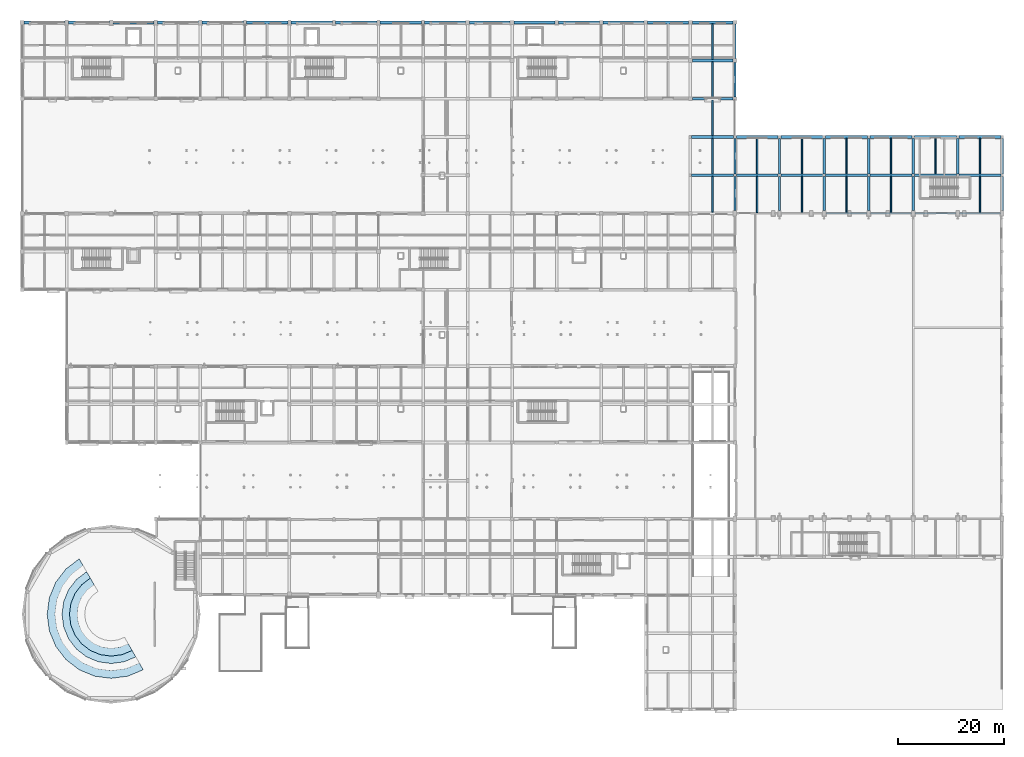
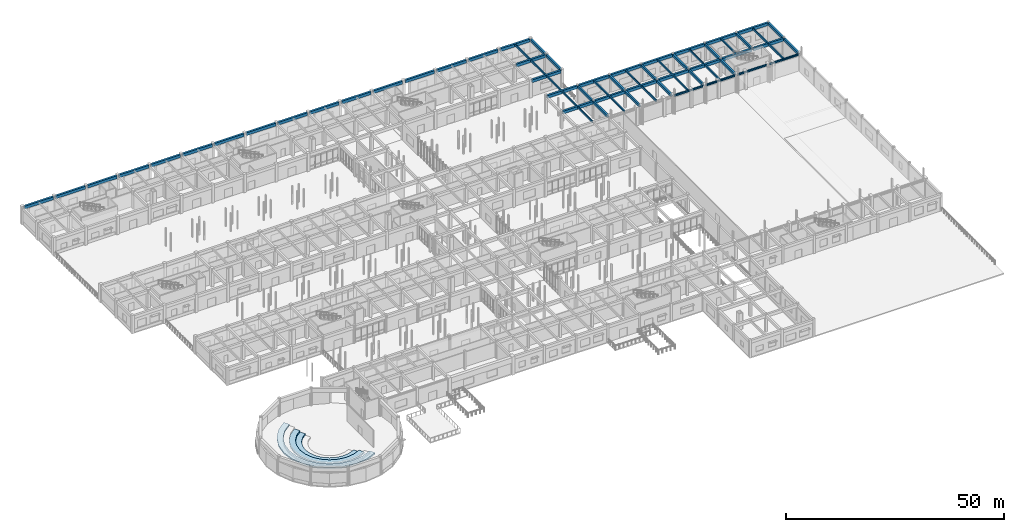
# One storey, part 63 of 121: 67 beams, 3 slabs.
"""IFC4 building model written with IfcOpenShell, lengths in metres."""

from ifc_helpers import new_model, si_unit, direction, frame, origin, origin_2d, place, context, subcontext, project, spatial, polyline, rectangle, i_section, outline, extrude, material, layer, layer_set, material_profile, profile_set, type_object, element, save


model = new_model("IFC4")

# Units and contexts
model_context = context("Model", 3, precision=1e-05, world=origin(), true_north=direction((0.0, 1.0)))
body_context = subcontext(model_context, "Body", "Model", "MODEL_VIEW")
ifc_project = project(units=[si_unit("LENGTHUNIT", "METRE"), si_unit("AREAUNIT", "SQUARE_METRE"), si_unit("VOLUMEUNIT", "CUBIC_METRE"), si_unit("PLANEANGLEUNIT", "RADIAN"), si_unit("MASSUNIT", "GRAM", prefix="KILO")], contexts=[model_context])

# Site, building, storey
site_placement = place(None, origin())
site = spatial("IfcSite", under=ifc_project, at=site_placement, CompositionType="ELEMENT")
building_placement = place(site_placement, origin())
building = spatial("IfcBuilding", under=site, at=building_placement, Name="Malvenik Polytechnic", CompositionType="ELEMENT")
storey_placement = place(building_placement, origin())
storey = spatial("IfcBuildingStorey", under=building, at=storey_placement, Name="L00", CompositionType="ELEMENT", Elevation=0.0)

# Beams
ifc_material_1 = material(Name="Concrete C35/45", Category="concrete")
ifc_material_profile_1 = material_profile(ifc_material_1, rectangle(XDim=0.5, YDim=0.800048828125, at=origin_2d()), Name="RC BM 500x800")
ifc_profile_set_1 = profile_set([ifc_material_profile_1], Name="Concrete C35/45")
beam_type_1 = type_object("IfcBeamType", Name="STR-BM-B-02", PredefinedType="BEAM", material=ifc_profile_set_1)
for number, where, z_axis, x_axis, name in (
    (1, (126.248046875, 100.800048828125, 4.419921875), (1.0, 0.0, 0.0), (0.0, 1.0, 0.0), "Primary Beam B-02 L00 #657"),
    (2, (134.64794921875, 100.800048828125, 4.419921875), (1.0, 0.0, 0.0), (0.0, 1.0, 0.0), "Primary Beam B-02 L00 #658"),
):
    element("IfcBeam", number, at=place(storey_placement, frame(where, z_axis=z_axis, x_axis=x_axis)), inside=storey, type_object=beam_type_1, Name=name, PredefinedType="BEAM", context=body_context, shape_type="SweptSolid", body=[
        extrude(rectangle(XDim=0.5, YDim=0.800048828125, at=origin_2d()), origin(), (0.0, 0.0, 1.0), 7.904052734375),
    ])
beam_1_placement = place(storey_placement, frame((143.048095703125, 100.800048828125, 4.419921875), z_axis=(1.0, 0.0, 0.0), x_axis=(0.0, 1.0, 0.0)))
element("IfcBeam", 3, at=beam_1_placement, inside=storey, type_object=beam_type_1, Name="Primary Beam B-02 L00 #659", PredefinedType="BEAM", context=body_context, shape_type="SweptSolid", body=[
    extrude(rectangle(XDim=0.5, YDim=0.800048828125, at=origin_2d()), origin(), (0.0, 0.0, 1.0), 7.90380859375),
])
for number, where, z_axis, x_axis, name in (
    (4, (151.447998046875, 100.800048828125, 4.419921875), (1.0, 0.0, 0.0), (0.0, 1.0, 0.0), "Primary Beam B-02 L00 #660"),
    (5, (159.847900390625, 100.800048828125, 4.419921875), (1.0, 0.0, 0.0), (0.0, 1.0, 0.0), "Primary Beam B-02 L00 #661"),
    (6, (168.248046875, 100.800048828125, 4.419921875), (1.0, 0.0, 0.0), (0.0, 1.0, 0.0), "Primary Beam B-02 L00 #662"),
    (7, (176.64794921875, 100.800048828125, 4.419921875), (1.0, 0.0, 0.0), (0.0, 1.0, 0.0), "Primary Beam B-02 L00 #663"),
):
    element("IfcBeam", number, at=place(storey_placement, frame(where, z_axis=z_axis, x_axis=x_axis)), inside=storey, type_object=beam_type_1, Name=name, PredefinedType="BEAM", context=body_context, shape_type="SweptSolid", body=[
        extrude(rectangle(XDim=0.5, YDim=0.800048828125, at=origin_2d()), origin(), (0.0, 0.0, 1.0), 7.904052734375),
    ])
beam_2_placement = place(storey_placement, frame((126.347900390625, 122.39990234375, 4.419921875), z_axis=(1.0, 0.0, 0.0), x_axis=(0.0, 1.0, 0.0)))
element("IfcBeam", 8, at=beam_2_placement, inside=storey, type_object=beam_type_1, Name="Primary Beam B-02 L00 #697", PredefinedType="BEAM", context=body_context, shape_type="SweptSolid", body=[
    extrude(rectangle(XDim=0.5, YDim=0.800048828125, at=origin_2d()), origin(), (0.0, 0.0, 1.0), 7.7041015625),
])
ifc_material_profile_2 = material_profile(ifc_material_1, rectangle(XDim=0.449951171875, YDim=0.699951171875, at=origin_2d()), Name="RC BM 450x700")
ifc_profile_set_2 = profile_set([ifc_material_profile_2], Name="Concrete C35/45")
beam_type_2 = type_object("IfcBeamType", Name="STR-BM-B-04", PredefinedType="BEAM", material=ifc_profile_set_2)
beam_3_placement = place(storey_placement, frame((134.39990234375, 94.14794921875, 4.469970703125), z_axis=(0.0, 1.0, 0.0), x_axis=(-1.0, 0.0, 0.0)))
element("IfcBeam", 9, at=beam_3_placement, inside=storey, type_object=beam_type_2, Name="Transverse Beam B-04 L00 #845", PredefinedType="BEAM", context=body_context, shape_type="SweptSolid", body=[
    extrude(rectangle(XDim=0.449951171875, YDim=0.699951171875, at=origin_2d()), origin(), (0.0, 0.0, 1.0), 6.404052734375),
])
beam_4_placement = place(storey_placement, frame((134.39990234375, 101.048095703125, 4.469970703125), z_axis=(0.0, 1.0, 0.0), x_axis=(-1.0, 0.0, 0.0)))
element("IfcBeam", 10, at=beam_4_placement, inside=storey, type_object=beam_type_2, Name="Transverse Beam B-04 L00 #846", PredefinedType="BEAM", context=body_context, shape_type="SweptSolid", body=[
    extrude(rectangle(XDim=0.449951171875, YDim=0.699951171875, at=origin_2d()), origin(), (0.0, 0.0, 1.0), 6.703857421875),
])
for number, where, z_axis, x_axis, name in (
    (11, (134.39990234375, 115.548095703125, 4.469970703125), (0.0, 1.0, 0.0), (-1.0, 0.0, 0.0), "Transverse Beam B-04 L00 #847"),
    (12, (134.39990234375, 122.748046875, 4.469970703125), (0.0, 1.0, 0.0), (-1.0, 0.0, 0.0), "Transverse Beam B-04 L00 #848"),
):
    element("IfcBeam", number, at=place(storey_placement, frame(where, z_axis=z_axis, x_axis=x_axis)), inside=storey, type_object=beam_type_2, Name=name, PredefinedType="BEAM", context=body_context, shape_type="SweptSolid", body=[
        extrude(rectangle(XDim=0.449951171875, YDim=0.699951171875, at=origin_2d()), origin(), (0.0, 0.0, 1.0), 6.50390625),
    ])
beam_5_placement = place(storey_placement, frame((142.800048828125, 94.14794921875, 4.469970703125), z_axis=(0.0, 1.0, 0.0), x_axis=(-1.0, 0.0, 0.0)))
element("IfcBeam", 13, at=beam_5_placement, inside=storey, type_object=beam_type_2, Name="Transverse Beam B-04 L00 #850", PredefinedType="BEAM", context=body_context, shape_type="SweptSolid", body=[
    extrude(rectangle(XDim=0.449951171875, YDim=0.699951171875, at=origin_2d()), origin(), (0.0, 0.0, 1.0), 6.404052734375),
])
beam_6_placement = place(storey_placement, frame((142.800048828125, 101.048095703125, 4.469970703125), z_axis=(0.0, 1.0, 0.0), x_axis=(-1.0, 0.0, 0.0)))
element("IfcBeam", 14, at=beam_6_placement, inside=storey, type_object=beam_type_2, Name="Transverse Beam B-04 L00 #851", PredefinedType="BEAM", context=body_context, shape_type="SweptSolid", body=[
    extrude(rectangle(XDim=0.449951171875, YDim=0.699951171875, at=origin_2d()), origin(), (0.0, 0.0, 1.0), 6.703857421875),
])
beam_7_placement = place(storey_placement, frame((151.199951171875, 94.14794921875, 4.469970703125), z_axis=(0.0, 1.0, 0.0), x_axis=(-1.0, 0.0, 0.0)))
element("IfcBeam", 15, at=beam_7_placement, inside=storey, type_object=beam_type_2, Name="Transverse Beam B-04 L00 #853", PredefinedType="BEAM", context=body_context, shape_type="SweptSolid", body=[
    extrude(rectangle(XDim=0.449951171875, YDim=0.699951171875, at=origin_2d()), origin(), (0.0, 0.0, 1.0), 6.404052734375),
])
beam_8_placement = place(storey_placement, frame((151.199951171875, 101.048095703125, 4.469970703125), z_axis=(0.0, 1.0, 0.0), x_axis=(-1.0, 0.0, 0.0)))
element("IfcBeam", 16, at=beam_8_placement, inside=storey, type_object=beam_type_2, Name="Transverse Beam B-04 L00 #854", PredefinedType="BEAM", context=body_context, shape_type="SweptSolid", body=[
    extrude(rectangle(XDim=0.449951171875, YDim=0.699951171875, at=origin_2d()), origin(), (0.0, 0.0, 1.0), 6.703857421875),
])
beam_9_placement = place(storey_placement, frame((159.60009765625, 94.14794921875, 4.469970703125), z_axis=(0.0, 1.0, 0.0), x_axis=(-1.0, 0.0, 0.0)))
element("IfcBeam", 17, at=beam_9_placement, inside=storey, type_object=beam_type_2, Name="Transverse Beam B-04 L00 #855", PredefinedType="BEAM", context=body_context, shape_type="SweptSolid", body=[
    extrude(rectangle(XDim=0.449951171875, YDim=0.699951171875, at=origin_2d()), origin(), (0.0, 0.0, 1.0), 6.404052734375),
])
beam_10_placement = place(storey_placement, frame((159.60009765625, 101.048095703125, 4.469970703125), z_axis=(0.0, 1.0, 0.0), x_axis=(-1.0, 0.0, 0.0)))
element("IfcBeam", 18, at=beam_10_placement, inside=storey, type_object=beam_type_2, Name="Transverse Beam B-04 L00 #856", PredefinedType="BEAM", context=body_context, shape_type="SweptSolid", body=[
    extrude(rectangle(XDim=0.449951171875, YDim=0.699951171875, at=origin_2d()), origin(), (0.0, 0.0, 1.0), 6.703857421875),
])
beam_11_placement = place(storey_placement, frame((168.0, 94.14794921875, 4.469970703125), z_axis=(0.0, 1.0, 0.0), x_axis=(-1.0, 0.0, 0.0)))
element("IfcBeam", 19, at=beam_11_placement, inside=storey, type_object=beam_type_2, Name="Transverse Beam B-04 L00 #858", PredefinedType="BEAM", context=body_context, shape_type="SweptSolid", body=[
    extrude(rectangle(XDim=0.449951171875, YDim=0.699951171875, at=origin_2d()), origin(), (0.0, 0.0, 1.0), 6.404052734375),
])
for number, where, z_axis, x_axis, name in (
    (20, (168.0, 101.048095703125, 4.469970703125), (0.0, 1.0, 0.0), (-1.0, 0.0, 0.0), "Transverse Beam B-04 L00 #859"),
    (21, (176.39990234375, 101.048095703125, 4.469970703125), (0.0, 1.0, 0.0), (-1.0, 0.0, 0.0), "Transverse Beam B-04 L00 #861"),
):
    element("IfcBeam", number, at=place(storey_placement, frame(where, z_axis=z_axis, x_axis=x_axis)), inside=storey, type_object=beam_type_2, Name=name, PredefinedType="BEAM", context=body_context, shape_type="SweptSolid", body=[
        extrude(rectangle(XDim=0.449951171875, YDim=0.699951171875, at=origin_2d()), origin(), (0.0, 0.0, 1.0), 6.703857421875),
    ])
beam_12_placement = place(storey_placement, frame((184.800048828125, 94.14794921875, 4.469970703125), z_axis=(0.0, 1.0, 0.0), x_axis=(-1.0, 0.0, 0.0)))
element("IfcBeam", 22, at=beam_12_placement, inside=storey, type_object=beam_type_2, Name="Transverse Beam B-04 L00 #863", PredefinedType="BEAM", context=body_context, shape_type="SweptSolid", body=[
    extrude(rectangle(XDim=0.449951171875, YDim=0.699951171875, at=origin_2d()), origin(), (0.0, 0.0, 1.0), 6.404052734375),
])
beam_13_placement = place(storey_placement, frame((184.800048828125, 101.048095703125, 4.469970703125), z_axis=(0.0, 1.0, 0.0), x_axis=(-1.0, 0.0, 0.0)))
element("IfcBeam", 23, at=beam_13_placement, inside=storey, type_object=beam_type_2, Name="Transverse Beam B-04 L00 #864", PredefinedType="BEAM", context=body_context, shape_type="SweptSolid", body=[
    extrude(rectangle(XDim=0.449951171875, YDim=0.699951171875, at=origin_2d()), origin(), (0.0, 0.0, 1.0), 6.703857421875),
])
ifc_material_2 = material(Name="Concrete C30/37", Category="concrete")
ifc_material_profile_3 = material_profile(ifc_material_2, rectangle(XDim=0.280029296875, YDim=0.47998046875, at=origin_2d()), Name="RC JST 280x480")
ifc_profile_set_3 = profile_set([ifc_material_profile_3], Name="Concrete C30/37")
beam_type_3 = type_object("IfcBeamType", Name="STR-BM-J-01", PredefinedType="JOIST", material=ifc_profile_set_3)
beam_14_placement = place(storey_placement, frame((130.199951171875, 93.847900390625, 4.580078125), z_axis=(0.0, 1.0, 0.0), x_axis=(-1.0, 0.0, 0.0)))
element("IfcBeam", 24, at=beam_14_placement, inside=storey, type_object=beam_type_3, Name="Secondary Rib Joist J-01 L00 #942", PredefinedType="JOIST", context=body_context, shape_type="SweptSolid", body=[
    extrude(rectangle(XDim=0.280029296875, YDim=0.47998046875, at=origin_2d()), origin(), (0.0, 0.0, 1.0), 6.7041015625),
])
beam_15_placement = place(storey_placement, frame((130.199951171875, 101.048095703125, 4.580078125), z_axis=(0.0, 1.0, 0.0), x_axis=(-1.0, 0.0, 0.0)))
element("IfcBeam", 25, at=beam_15_placement, inside=storey, type_object=beam_type_3, Name="Secondary Rib Joist J-01 L00 #943", PredefinedType="JOIST", context=body_context, shape_type="SweptSolid", body=[
    extrude(rectangle(XDim=0.280029296875, YDim=0.47998046875, at=origin_2d()), origin(), (0.0, 0.0, 1.0), 6.69384765625),
])
beam_16_placement = place(storey_placement, frame((130.199951171875, 108.258056640625, 4.580078125), z_axis=(0.0, 1.0, 0.0), x_axis=(-1.0, 0.0, 0.0)))
element("IfcBeam", 26, at=beam_16_placement, inside=storey, type_object=beam_type_3, Name="Secondary Rib Joist J-01 L00 #944", PredefinedType="JOIST", context=body_context, shape_type="SweptSolid", body=[
    extrude(rectangle(XDim=0.280029296875, YDim=0.47998046875, at=origin_2d()), origin(), (0.0, 0.0, 1.0), 6.683837890625),
])
for number, where, z_axis, x_axis, name in (
    (27, (130.199951171875, 115.4580078125, 4.580078125), (0.0, 1.0, 0.0), (-1.0, 0.0, 0.0), "Secondary Rib Joist J-01 L00 #945"),
    (28, (130.199951171875, 122.64794921875, 4.580078125), (0.0, 1.0, 0.0), (-1.0, 0.0, 0.0), "Secondary Rib Joist J-01 L00 #946"),
):
    element("IfcBeam", number, at=place(storey_placement, frame(where, z_axis=z_axis, x_axis=x_axis)), inside=storey, type_object=beam_type_3, Name=name, PredefinedType="JOIST", context=body_context, shape_type="SweptSolid", body=[
        extrude(rectangle(XDim=0.280029296875, YDim=0.47998046875, at=origin_2d()), origin(), (0.0, 0.0, 1.0), 6.694091796875),
    ])
beam_17_placement = place(storey_placement, frame((138.60009765625, 93.748046875, 4.580078125), z_axis=(0.0, 1.0, 0.0), x_axis=(-1.0, 0.0, 0.0)))
element("IfcBeam", 29, at=beam_17_placement, inside=storey, type_object=beam_type_3, Name="Secondary Rib Joist J-01 L00 #948", PredefinedType="JOIST", context=body_context, shape_type="SweptSolid", body=[
    extrude(rectangle(XDim=0.280029296875, YDim=0.47998046875, at=origin_2d()), origin(), (0.0, 0.0, 1.0), 6.803955078125),
])
beam_18_placement = place(storey_placement, frame((138.60009765625, 101.048095703125, 4.580078125), z_axis=(0.0, 1.0, 0.0), x_axis=(-1.0, 0.0, 0.0)))
element("IfcBeam", 30, at=beam_18_placement, inside=storey, type_object=beam_type_3, Name="Secondary Rib Joist J-01 L00 #949", PredefinedType="JOIST", context=body_context, shape_type="SweptSolid", body=[
    extrude(rectangle(XDim=0.280029296875, YDim=0.47998046875, at=origin_2d()), origin(), (0.0, 0.0, 1.0), 6.69384765625),
])
beam_19_placement = place(storey_placement, frame((147.0, 93.748046875, 4.580078125), z_axis=(0.0, 1.0, 0.0), x_axis=(-1.0, 0.0, 0.0)))
element("IfcBeam", 31, at=beam_19_placement, inside=storey, type_object=beam_type_3, Name="Secondary Rib Joist J-01 L00 #951", PredefinedType="JOIST", context=body_context, shape_type="SweptSolid", body=[
    extrude(rectangle(XDim=0.280029296875, YDim=0.47998046875, at=origin_2d()), origin(), (0.0, 0.0, 1.0), 6.803955078125),
])
beam_20_placement = place(storey_placement, frame((147.0, 101.048095703125, 4.580078125), z_axis=(0.0, 1.0, 0.0), x_axis=(-1.0, 0.0, 0.0)))
element("IfcBeam", 32, at=beam_20_placement, inside=storey, type_object=beam_type_3, Name="Secondary Rib Joist J-01 L00 #952", PredefinedType="JOIST", context=body_context, shape_type="SweptSolid", body=[
    extrude(rectangle(XDim=0.280029296875, YDim=0.47998046875, at=origin_2d()), origin(), (0.0, 0.0, 1.0), 6.69384765625),
])
beam_21_placement = place(storey_placement, frame((155.39990234375, 93.748046875, 4.580078125), z_axis=(0.0, 1.0, 0.0), x_axis=(-1.0, 0.0, 0.0)))
element("IfcBeam", 33, at=beam_21_placement, inside=storey, type_object=beam_type_3, Name="Secondary Rib Joist J-01 L00 #953", PredefinedType="JOIST", context=body_context, shape_type="SweptSolid", body=[
    extrude(rectangle(XDim=0.280029296875, YDim=0.47998046875, at=origin_2d()), origin(), (0.0, 0.0, 1.0), 6.803955078125),
])
beam_22_placement = place(storey_placement, frame((155.39990234375, 101.048095703125, 4.580078125), z_axis=(0.0, 1.0, 0.0), x_axis=(-1.0, 0.0, 0.0)))
element("IfcBeam", 34, at=beam_22_placement, inside=storey, type_object=beam_type_3, Name="Secondary Rib Joist J-01 L00 #954", PredefinedType="JOIST", context=body_context, shape_type="SweptSolid", body=[
    extrude(rectangle(XDim=0.280029296875, YDim=0.47998046875, at=origin_2d()), origin(), (0.0, 0.0, 1.0), 6.69384765625),
])
beam_23_placement = place(storey_placement, frame((163.800048828125, 93.748046875, 4.580078125), z_axis=(0.0, 1.0, 0.0), x_axis=(-1.0, 0.0, 0.0)))
element("IfcBeam", 35, at=beam_23_placement, inside=storey, type_object=beam_type_3, Name="Secondary Rib Joist J-01 L00 #956", PredefinedType="JOIST", context=body_context, shape_type="SweptSolid", body=[
    extrude(rectangle(XDim=0.280029296875, YDim=0.47998046875, at=origin_2d()), origin(), (0.0, 0.0, 1.0), 6.803955078125),
])
for number, where, z_axis, x_axis, name in (
    (36, (163.800048828125, 101.048095703125, 4.580078125), (0.0, 1.0, 0.0), (-1.0, 0.0, 0.0), "Secondary Rib Joist J-01 L00 #957"),
    (37, (172.199951171875, 101.048095703125, 4.580078125), (0.0, 1.0, 0.0), (-1.0, 0.0, 0.0), "Secondary Rib Joist J-01 L00 #959"),
):
    element("IfcBeam", number, at=place(storey_placement, frame(where, z_axis=z_axis, x_axis=x_axis)), inside=storey, type_object=beam_type_3, Name=name, PredefinedType="JOIST", context=body_context, shape_type="SweptSolid", body=[
        extrude(rectangle(XDim=0.280029296875, YDim=0.47998046875, at=origin_2d()), origin(), (0.0, 0.0, 1.0), 6.69384765625),
    ])
beam_24_placement = place(storey_placement, frame((180.60009765625, 93.748046875, 4.580078125), z_axis=(0.0, 1.0, 0.0), x_axis=(-1.0, 0.0, 0.0)))
element("IfcBeam", 38, at=beam_24_placement, inside=storey, type_object=beam_type_3, Name="Secondary Rib Joist J-01 L00 #961", PredefinedType="JOIST", context=body_context, shape_type="SweptSolid", body=[
    extrude(rectangle(XDim=0.280029296875, YDim=0.47998046875, at=origin_2d()), origin(), (0.0, 0.0, 1.0), 6.803955078125),
])
beam_25_placement = place(storey_placement, frame((180.60009765625, 101.048095703125, 4.580078125), z_axis=(0.0, 1.0, 0.0), x_axis=(-1.0, 0.0, 0.0)))
element("IfcBeam", 39, at=beam_25_placement, inside=storey, type_object=beam_type_3, Name="Secondary Rib Joist J-01 L00 #962", PredefinedType="JOIST", context=body_context, shape_type="SweptSolid", body=[
    extrude(rectangle(XDim=0.280029296875, YDim=0.47998046875, at=origin_2d()), origin(), (0.0, 0.0, 1.0), 6.69384765625),
])
ifc_material_3 = material(Name="Steel S355", Category="steel")
ifc_material_profile_4 = material_profile(ifc_material_3, i_section(OverallWidth=0.300048828125, OverallDepth=0.489990234375, WebThickness=0.011962890625, FlangeThickness=0.02294921875, FilletRadius=0.027099609375, at=origin_2d()), Name="HEA 500")
ifc_profile_set_4 = profile_set([ifc_material_profile_4], Name="Steel S355")
beam_type_4 = type_object("IfcBeamType", Name="STR-BM-SB-04", PredefinedType="BEAM", material=ifc_profile_set_4)
beam_26_placement = place(storey_placement, frame((151.52294921875, 93.60009765625, 4.56298828125), z_axis=(1.0, 0.0, 0.0), x_axis=(0.0, 1.0, 0.0)))
element("IfcBeam", 40, at=beam_26_placement, inside=storey, type_object=beam_type_4, Name="Beam SB-04 #3", PredefinedType="BEAM", context=body_context, shape_type="SweptSolid", body=[
    extrude(i_section(OverallWidth=0.300048828125, OverallDepth=0.489990234375, WebThickness=0.011962890625, FlangeThickness=0.02294921875, FilletRadius=0.027099609375, at=origin_2d()), origin(), (0.0, 0.0, 1.0), 7.754150390625),
])
for number, where, z_axis, x_axis, name in (
    (41, (159.923095703125, 93.60009765625, 4.56298828125), (1.0, 0.0, 0.0), (0.0, 1.0, 0.0), "Beam SB-04 #4"),
    (42, (168.322998046875, 93.60009765625, 4.56298828125), (1.0, 0.0, 0.0), (0.0, 1.0, 0.0), "Beam SB-04 #5"),
):
    element("IfcBeam", number, at=place(storey_placement, frame(where, z_axis=z_axis, x_axis=x_axis)), inside=storey, type_object=beam_type_4, Name=name, PredefinedType="BEAM", context=body_context, shape_type="SweptSolid", body=[
        extrude(i_section(OverallWidth=0.300048828125, OverallDepth=0.489990234375, WebThickness=0.011962890625, FlangeThickness=0.02294921875, FilletRadius=0.027099609375, at=origin_2d()), origin(), (0.0, 0.0, 1.0), 7.75390625),
    ])
beam_27_placement = place(storey_placement, frame((176.722900390625, 93.60009765625, 4.56298828125), z_axis=(1.0, 0.0, 0.0), x_axis=(0.0, 1.0, 0.0)))
element("IfcBeam", 43, at=beam_27_placement, inside=storey, type_object=beam_type_4, Name="Beam SB-04 #6", PredefinedType="BEAM", context=body_context, shape_type="SweptSolid", body=[
    extrude(i_section(OverallWidth=0.300048828125, OverallDepth=0.489990234375, WebThickness=0.011962890625, FlangeThickness=0.02294921875, FilletRadius=0.027099609375, at=origin_2d()), origin(), (0.0, 0.0, 1.0), 7.754150390625),
])
ifc_material_4 = material(Name="Precast concrete C40/50", Category="concrete")
ifc_material_profile_5 = material_profile(ifc_material_4, rectangle(XDim=0.52001953125, YDim=0.800048828125, at=origin_2d()), Name="PC SPN 520x800")
ifc_profile_set_5 = profile_set([ifc_material_profile_5], Name="Precast concrete C40/50")
beam_type_5 = type_object("IfcBeamType", Name="STR-BM-SP-01", PredefinedType="SPANDREL", material=ifc_profile_set_5)
for number, where, z_axis, x_axis, name in (
    (44, (126.248046875, 108.0, 4.419921875), (1.0, 0.0, 0.0), (0.0, 1.0, 0.0), "Primary Beam SP-01 L00 #665"),
    (45, (134.64794921875, 108.0, 4.419921875), (1.0, 0.0, 0.0), (0.0, 1.0, 0.0), "Primary Beam SP-01 L00 #666"),
):
    element("IfcBeam", number, at=place(storey_placement, frame(where, z_axis=z_axis, x_axis=x_axis)), inside=storey, type_object=beam_type_5, Name=name, PredefinedType="SPANDREL", context=body_context, shape_type="SweptSolid", body=[
        extrude(rectangle(XDim=0.52001953125, YDim=0.800048828125, at=origin_2d()), origin(), (0.0, 0.0, 1.0), 7.904052734375),
    ])
beam_28_placement = place(storey_placement, frame((143.048095703125, 108.0, 4.419921875), z_axis=(1.0, 0.0, 0.0), x_axis=(0.0, 1.0, 0.0)))
element("IfcBeam", 46, at=beam_28_placement, inside=storey, type_object=beam_type_5, Name="Primary Beam SP-01 L00 #667", PredefinedType="SPANDREL", context=body_context, shape_type="SweptSolid", body=[
    extrude(rectangle(XDim=0.52001953125, YDim=0.800048828125, at=origin_2d()), origin(), (0.0, 0.0, 1.0), 7.90380859375),
])
for number, where, z_axis, x_axis, name in (
    (47, (151.447998046875, 108.0, 4.419921875), (1.0, 0.0, 0.0), (0.0, 1.0, 0.0), "Primary Beam SP-01 L00 #668"),
    (48, (159.847900390625, 108.0, 4.419921875), (1.0, 0.0, 0.0), (0.0, 1.0, 0.0), "Primary Beam SP-01 L00 #669"),
    (49, (168.248046875, 108.0, 4.419921875), (1.0, 0.0, 0.0), (0.0, 1.0, 0.0), "Primary Beam SP-01 L00 #670"),
    (50, (176.64794921875, 108.0, 4.419921875), (1.0, 0.0, 0.0), (0.0, 1.0, 0.0), "Primary Beam SP-01 L00 #671"),
):
    element("IfcBeam", number, at=place(storey_placement, frame(where, z_axis=z_axis, x_axis=x_axis)), inside=storey, type_object=beam_type_5, Name=name, PredefinedType="SPANDREL", context=body_context, shape_type="SweptSolid", body=[
        extrude(rectangle(XDim=0.52001953125, YDim=0.800048828125, at=origin_2d()), origin(), (0.0, 0.0, 1.0), 7.904052734375),
    ])
for number, where, z_axis, x_axis, name in (
    (51, (126.347900390625, 115.199951171875, 4.419921875), (1.0, 0.0, 0.0), (0.0, 1.0, 0.0), "Primary Beam SP-01 L00 #687"),
    (52, (0.39794921875, 129.60009765625, 4.419921875), (1.0, 0.0, 0.0), (0.0, 1.0, 0.0), "Primary Beam SP-01 L00 #698"),
):
    element("IfcBeam", number, at=place(storey_placement, frame(where, z_axis=z_axis, x_axis=x_axis)), inside=storey, type_object=beam_type_5, Name=name, PredefinedType="SPANDREL", context=body_context, shape_type="SweptSolid", body=[
        extrude(rectangle(XDim=0.52001953125, YDim=0.800048828125, at=origin_2d()), origin(), (0.0, 0.0, 1.0), 7.7041015625),
    ])
beam_29_placement = place(storey_placement, frame((8.697998046875, 129.60009765625, 4.419921875), z_axis=(1.0, 0.0, 0.0), x_axis=(0.0, 1.0, 0.0)))
element("IfcBeam", 53, at=beam_29_placement, inside=storey, type_object=beam_type_5, Name="Primary Beam SP-01 L00 #699", PredefinedType="SPANDREL", context=body_context, shape_type="SweptSolid", body=[
    extrude(rectangle(XDim=0.52001953125, YDim=0.800048828125, at=origin_2d()), origin(), (0.0, 0.0, 1.0), 7.803955078125),
])
beam_30_placement = place(storey_placement, frame((17.097900390625, 129.60009765625, 4.419921875), z_axis=(1.0, 0.0, 0.0), x_axis=(0.0, 1.0, 0.0)))
element("IfcBeam", 54, at=beam_30_placement, inside=storey, type_object=beam_type_5, Name="Primary Beam SP-01 L00 #700", PredefinedType="SPANDREL", context=body_context, shape_type="SweptSolid", body=[
    extrude(rectangle(XDim=0.52001953125, YDim=0.800048828125, at=origin_2d()), origin(), (0.0, 0.0, 1.0), 7.80419921875),
])
for number, where, z_axis, x_axis, name in (
    (55, (25.498046875, 129.60009765625, 4.419921875), (1.0, 0.0, 0.0), (0.0, 1.0, 0.0), "Primary Beam SP-01 L00 #701"),
    (56, (33.89794921875, 129.60009765625, 4.419921875), (1.0, 0.0, 0.0), (0.0, 1.0, 0.0), "Primary Beam SP-01 L00 #702"),
    (57, (42.298095703125, 129.60009765625, 4.419921875), (1.0, 0.0, 0.0), (0.0, 1.0, 0.0), "Primary Beam SP-01 L00 #703"),
    (58, (50.697998046875, 129.60009765625, 4.419921875), (1.0, 0.0, 0.0), (0.0, 1.0, 0.0), "Primary Beam SP-01 L00 #704"),
):
    element("IfcBeam", number, at=place(storey_placement, frame(where, z_axis=z_axis, x_axis=x_axis)), inside=storey, type_object=beam_type_5, Name=name, PredefinedType="SPANDREL", context=body_context, shape_type="SweptSolid", body=[
        extrude(rectangle(XDim=0.52001953125, YDim=0.800048828125, at=origin_2d()), origin(), (0.0, 0.0, 1.0), 7.803955078125),
    ])
beam_31_placement = place(storey_placement, frame((59.097900390625, 129.60009765625, 4.419921875), z_axis=(1.0, 0.0, 0.0), x_axis=(0.0, 1.0, 0.0)))
element("IfcBeam", 59, at=beam_31_placement, inside=storey, type_object=beam_type_5, Name="Primary Beam SP-01 L00 #705", PredefinedType="SPANDREL", context=body_context, shape_type="SweptSolid", body=[
    extrude(rectangle(XDim=0.52001953125, YDim=0.800048828125, at=origin_2d()), origin(), (0.0, 0.0, 1.0), 7.80419921875),
])
beam_32_placement = place(storey_placement, frame((67.498046875, 129.60009765625, 4.419921875), z_axis=(1.0, 0.0, 0.0), x_axis=(0.0, 1.0, 0.0)))
element("IfcBeam", 60, at=beam_32_placement, inside=storey, type_object=beam_type_5, Name="Primary Beam SP-01 L00 #706", PredefinedType="SPANDREL", context=body_context, shape_type="SweptSolid", body=[
    extrude(rectangle(XDim=0.52001953125, YDim=0.800048828125, at=origin_2d()), origin(), (0.0, 0.0, 1.0), 7.803955078125),
])
beam_33_placement = place(storey_placement, frame((75.89794921875, 129.60009765625, 4.419921875), z_axis=(1.0, 0.0, 0.0), x_axis=(0.0, 1.0, 0.0)))
element("IfcBeam", 61, at=beam_33_placement, inside=storey, type_object=beam_type_5, Name="Primary Beam SP-01 L00 #707", PredefinedType="SPANDREL", context=body_context, shape_type="SweptSolid", body=[
    extrude(rectangle(XDim=0.52001953125, YDim=0.800048828125, at=origin_2d()), origin(), (0.0, 0.0, 1.0), 7.72900390625),
])
for number, where, z_axis, x_axis, name in (
    (62, (84.373046875, 129.60009765625, 4.419921875), (1.0, 0.0, 0.0), (0.0, 1.0, 0.0), "Primary Beam SP-01 L00 #708"),
    (63, (92.77294921875, 129.60009765625, 4.419921875), (1.0, 0.0, 0.0), (0.0, 1.0, 0.0), "Primary Beam SP-01 L00 #709"),
):
    element("IfcBeam", number, at=place(storey_placement, frame(where, z_axis=z_axis, x_axis=x_axis)), inside=storey, type_object=beam_type_5, Name=name, PredefinedType="SPANDREL", context=body_context, shape_type="SweptSolid", body=[
        extrude(rectangle(XDim=0.52001953125, YDim=0.800048828125, at=origin_2d()), origin(), (0.0, 0.0, 1.0), 7.654052734375),
    ])
beam_34_placement = place(storey_placement, frame((101.173095703125, 129.60009765625, 4.419921875), z_axis=(1.0, 0.0, 0.0), x_axis=(0.0, 1.0, 0.0)))
element("IfcBeam", 64, at=beam_34_placement, inside=storey, type_object=beam_type_5, Name="Primary Beam SP-01 L00 #710", PredefinedType="SPANDREL", context=body_context, shape_type="SweptSolid", body=[
    extrude(rectangle(XDim=0.52001953125, YDim=0.800048828125, at=origin_2d()), origin(), (0.0, 0.0, 1.0), 7.678955078125),
])
beam_35_placement = place(storey_placement, frame((109.548095703125, 129.60009765625, 4.419921875), z_axis=(1.0, 0.0, 0.0), x_axis=(0.0, 1.0, 0.0)))
element("IfcBeam", 65, at=beam_35_placement, inside=storey, type_object=beam_type_5, Name="Primary Beam SP-01 L00 #711", PredefinedType="SPANDREL", context=body_context, shape_type="SweptSolid", body=[
    extrude(rectangle(XDim=0.52001953125, YDim=0.800048828125, at=origin_2d()), origin(), (0.0, 0.0, 1.0), 7.703857421875),
])
for number, where, z_axis, x_axis, name in (
    (66, (117.947998046875, 129.60009765625, 4.419921875), (1.0, 0.0, 0.0), (0.0, 1.0, 0.0), "Primary Beam SP-01 L00 #712"),
    (67, (126.347900390625, 129.60009765625, 4.419921875), (1.0, 0.0, 0.0), (0.0, 1.0, 0.0), "Primary Beam SP-01 L00 #713"),
):
    element("IfcBeam", number, at=place(storey_placement, frame(where, z_axis=z_axis, x_axis=x_axis)), inside=storey, type_object=beam_type_5, Name=name, PredefinedType="SPANDREL", context=body_context, shape_type="SweptSolid", body=[
        extrude(rectangle(XDim=0.52001953125, YDim=0.800048828125, at=origin_2d()), origin(), (0.0, 0.0, 1.0), 7.7041015625),
    ])

# Slabs
ifc_layer = layer(ifc_material_1, 0.412109375)
ifc_layer_set = layer_set([ifc_layer], Name="Concrete C35/45")
slab_type = type_object("IfcSlabType", Name="STR-SLB-TIER-430", PredefinedType="USERDEFINED", material=ifc_layer_set)
slab_1_placement = place(storey_placement, frame((0.0, 0.0, 0.387939453125)))
element("IfcSlab", 68, at=slab_1_placement, inside=storey, type_object=slab_type, Name="Lecture Amphitheatre Seating Tier L00-2", ObjectType="SEATING TIER", PredefinedType="USERDEFINED", context=body_context, shape_type="SweptSolid", body=[
    extrude(outline(polyline([(12.860107421875, 24.82421875), (11.22802734375, 23.572021484375), (9.9755859375, 21.93994140625), (9.1884765625, 20.03955078125), (8.919921875, 18.0), (9.1884765625, 15.96044921875), (9.9755859375, 14.06005859375), (11.22802734375, 12.427978515625), (12.860107421875, 11.17578125), (14.760498046875, 10.388427734375), (16.800048828125, 10.1201171875), (18.839599609375, 10.388427734375), (20.739990234375, 11.17578125), (20.0, 12.45751953125), (18.456298828125, 11.818115234375), (16.800048828125, 11.60009765625), (15.1435546875, 11.818115234375), (13.60009765625, 12.45751953125), (12.2744140625, 13.474609375), (11.25732421875, 14.800048828125), (10.6181640625, 16.343505859375), (10.39990234375, 18.0), (10.6181640625, 19.656494140625), (11.25732421875, 21.199951171875), (12.2744140625, 22.525390625), (13.60009765625, 23.54248046875), (12.860107421875, 24.82421875)])), origin(), (0.0, 0.0, 1.0), 0.412109375),
])
slab_2_placement = place(storey_placement, frame((0.0, 0.0, 0.7880859375)))
element("IfcSlab", 69, at=slab_2_placement, inside=storey, type_object=slab_type, Name="Lecture Amphitheatre Seating Tier L00-3", ObjectType="SEATING TIER", PredefinedType="USERDEFINED", context=body_context, shape_type="SweptSolid", body=[
    extrude(outline(polyline([(12.159912109375, 26.03662109375), (10.238037109375, 24.56201171875), (8.76318359375, 22.639892578125), (7.836181640625, 20.40185546875), (7.52001953125, 18.0), (7.836181640625, 15.59814453125), (8.76318359375, 13.360107421875), (10.238037109375, 11.43798828125), (12.159912109375, 9.96337890625), (14.398193359375, 9.0361328125), (16.800048828125, 8.719970703125), (19.201904296875, 9.0361328125), (21.43994140625, 9.96337890625), (20.699951171875, 11.2451171875), (18.81884765625, 10.4658203125), (16.800048828125, 10.199951171875), (14.78125, 10.4658203125), (12.89990234375, 11.2451171875), (11.28466796875, 12.484619140625), (10.044921875, 14.10009765625), (9.265869140625, 15.981201171875), (9.0, 18.0), (9.265869140625, 20.018798828125), (10.044921875, 21.89990234375), (11.28466796875, 23.515380859375), (12.89990234375, 24.7548828125), (12.159912109375, 26.03662109375)])), origin(), (0.0, 0.0, 1.0), 0.411865234375),
])
slab_3_placement = place(storey_placement, frame((0.0, 0.0, 1.587890625)))
element("IfcSlab", 70, at=slab_3_placement, inside=storey, type_object=slab_type, Name="Lecture Amphitheatre Seating Tier L00-5", ObjectType="SEATING TIER", PredefinedType="USERDEFINED", context=body_context, shape_type="SweptSolid", body=[
    extrude(outline(polyline([(10.760009765625, 28.461669921875), (8.25830078125, 26.541748046875), (6.33837890625, 24.0400390625), (5.131591796875, 21.12646484375), (4.719970703125, 18.0), (5.131591796875, 14.87353515625), (6.33837890625, 11.9599609375), (8.25830078125, 9.458251953125), (10.760009765625, 7.538330078125), (13.673583984375, 6.33154296875), (16.800048828125, 5.919921875), (19.926513671875, 6.33154296875), (22.840087890625, 7.538330078125), (22.10009765625, 8.820068359375), (19.54345703125, 7.76123046875), (16.800048828125, 7.39990234375), (14.056396484375, 7.76123046875), (11.5, 8.820068359375), (9.3046875, 10.504638671875), (7.6201171875, 12.699951171875), (6.561279296875, 15.256591796875), (6.199951171875, 18.0), (6.561279296875, 20.743408203125), (7.6201171875, 23.300048828125), (9.3046875, 25.495361328125), (11.5, 27.179931640625), (10.760009765625, 28.461669921875)])), origin(), (0.0, 0.0, 1.0), 0.412109375),
])

save(model, "model.ifc")
